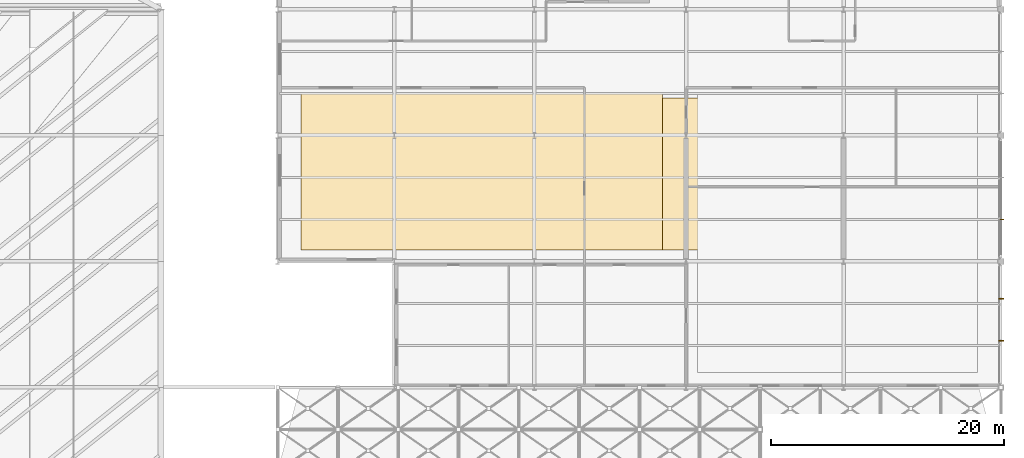
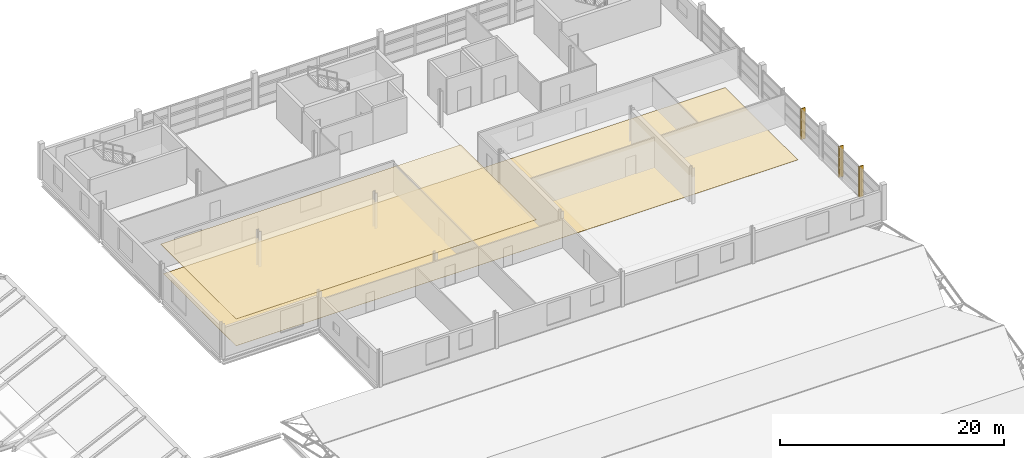
# One storey, part 108 of 110: 3 shading devices, 2 coverings.
"""IFC4 building model written with IfcOpenShell, lengths in metres."""

from ifc_helpers import new_model, si_unit, direction, frame, origin, origin_2d, place, context, subcontext, project, spatial, polyline, rectangle, outline, extrude, material, layer, layer_set, type_object, element, save


model = new_model("IFC4")

# Units and contexts
model_context = context("Model", 3, precision=1e-05, world=origin(), true_north=direction((0.0, 1.0)))
body_context = subcontext(model_context, "Body", "Model", "MODEL_VIEW")
ifc_project = project(units=[si_unit("LENGTHUNIT", "METRE"), si_unit("AREAUNIT", "SQUARE_METRE"), si_unit("VOLUMEUNIT", "CUBIC_METRE"), si_unit("PLANEANGLEUNIT", "RADIAN"), si_unit("MASSUNIT", "GRAM", prefix="KILO")], contexts=[model_context])

# Site, building, storey
site_placement = place(None, origin())
site = spatial("IfcSite", under=ifc_project, at=site_placement, CompositionType="ELEMENT")
building_placement = place(site_placement, origin())
building = spatial("IfcBuilding", under=site, at=building_placement, Name="Tamarisk Ironworks Central Station", CompositionType="ELEMENT")
storey_placement = place(building_placement, frame((0.0, 0.0, 17.39990234375)))
storey = spatial("IfcBuildingStorey", under=building, at=storey_placement, Name="L03", CompositionType="ELEMENT", Elevation=17.39990234375)

# Coverings
ifc_material_1 = material(Name="Anodized aluminium alloy 6063-T6", Category="aluminium")
ifc_layer_1 = layer(ifc_material_1, 0.044921875)
ifc_layer_set_1 = layer_set([ifc_layer_1], Name="Anodized aluminium alloy 6063-T6")
covering_type_1 = type_object("IfcCoveringType", Name="COV-CEIL-MT", PredefinedType="CEILING", material=ifc_layer_set_1)
covering_1_placement = place(storey_placement, frame((0.0, 0.0, 2.900146484375)))
element("IfcCovering", 1, at=covering_1_placement, inside=storey, type_object=covering_type_1, Name="L03 suspended acoustic baffle ceiling 008", PredefinedType="CEILING", context=body_context, shape_type="SweptSolid", body=[
    extrude(outline(polyline([(120.0, 91.0), (151.0, 91.0), (151.0, 104.5), (120.0, 104.5), (120.0, 91.0)])), origin(), (0.0, 0.0, 1.0), 0.044921875),
])
ifc_material_2 = material(Name="Granite tactile platform paving", Category="masonry")
ifc_layer_2 = layer(ifc_material_2, 0.02001953125)
ifc_layer_set_2 = layer_set([ifc_layer_2], Name="Granite tactile platform paving")
covering_type_2 = type_object("IfcCoveringType", Name="COV-FLOOR-TC", PredefinedType="FLOORING", material=ifc_layer_set_2)
covering_2_placement = place(storey_placement, origin())
element("IfcCovering", 2, at=covering_2_placement, inside=storey, type_object=covering_type_2, Name="L03 granite/terrazzo floor finish 010", PredefinedType="FLOORING", context=body_context, shape_type="SweptSolid", body=[
    extrude(outline(polyline([(120.0, 91.0), (178.0, 91.0), (178.0, 104.0), (120.0, 104.0), (120.0, 91.0)])), origin(), (0.0, 0.0, 1.0), 0.02001953125),
])

# Shading devices
shading_device_type = type_object("IfcShadingDeviceType", Name="SHD-FN01", PredefinedType="USERDEFINED", material=ifc_material_1)
for number, where, z_axis, x_axis, name in (
    (3, (180.02001953125, 83.199951171875, 0.000244140625), (0.0, 0.0, 1.0), (1.0, 0.0, 0.0), "L03 east vertical solar brise-soleil fin 031"),
    (4, (180.02001953125, 86.800048828125, 0.000244140625), (0.0, 0.0, 1.0), (1.0, 0.0, 0.0), "L03 east vertical solar brise-soleil fin 032"),
    (5, (180.02001953125, 93.60009765625, 0.000244140625), (0.0, 0.0, 1.0), (1.0, 0.0, 0.0), "L03 east vertical solar brise-soleil fin 033"),
):
    element("IfcShadingDevice", number, at=place(storey_placement, frame(where, z_axis=z_axis, x_axis=x_axis)), inside=storey, type_object=shading_device_type, Name=name, ObjectType="BRISE SOLEIL FIN", PredefinedType="USERDEFINED", context=body_context, shape_type="SweptSolid", body=[
        extrude(rectangle(XDim=0.43994140625, YDim=0.080078125, at=origin_2d()), origin(), (0.0, 0.0, 1.0), 3.39990234375),
    ])

save(model, "model.ifc")
